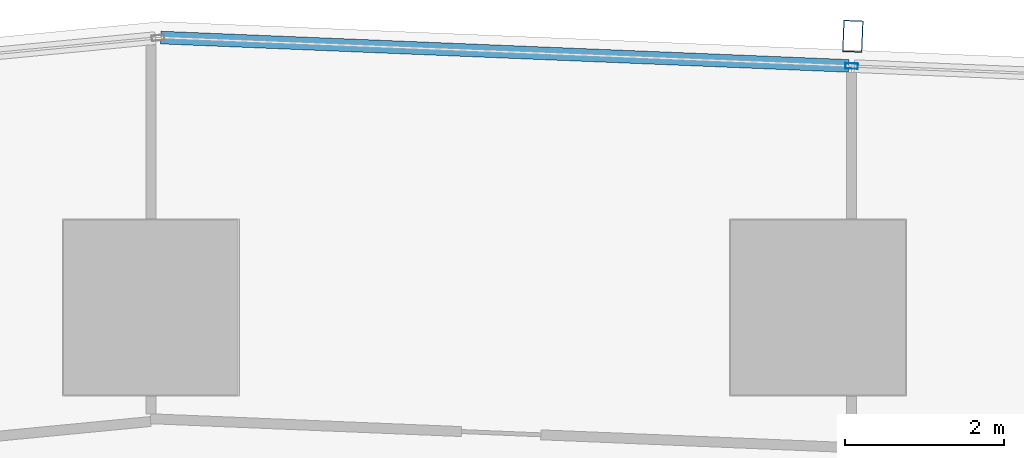
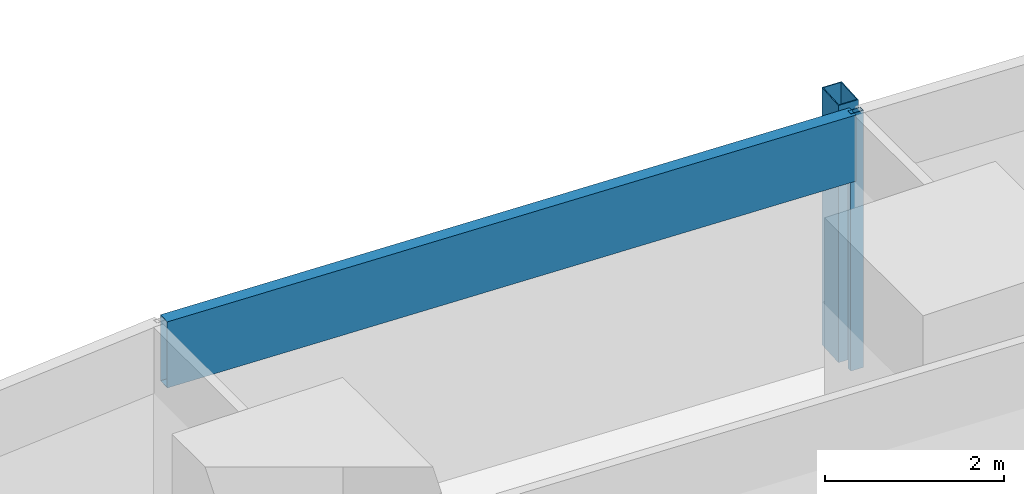
# One storey, part 16 of 42: 3 members, 1 element without a shape of its own.
"""IFC4 building model written with IfcOpenShell, lengths in metres."""

from ifc_helpers import new_model, si_unit, direction, frame, origin, origin_2d, place, context, subcontext, project, spatial, hollow_rectangle, extrude, material, material_profile, profile_set, type_object, element, aggregate, save


model = new_model("IFC4")

# Units and contexts
model_context = context("Model", 3, precision=1e-05, world=origin(), true_north=direction((0.0, 1.0)))
body_context = subcontext(model_context, "Body", "Model", "MODEL_VIEW")
ifc_project = project(units=[si_unit("LENGTHUNIT", "METRE"), si_unit("AREAUNIT", "SQUARE_METRE"), si_unit("VOLUMEUNIT", "CUBIC_METRE"), si_unit("PLANEANGLEUNIT", "RADIAN"), si_unit("MASSUNIT", "GRAM", prefix="KILO")], contexts=[model_context])

# Site, building, storey
site_placement = place(None, origin())
site = spatial("IfcSite", under=ifc_project, at=site_placement, CompositionType="ELEMENT")
building_placement = place(site_placement, origin())
building = spatial("IfcBuilding", under=site, at=building_placement, Name="Rekha Terrace Tower", CompositionType="ELEMENT")
storey_placement = place(building_placement, frame((0.0, 0.0, 55.39990234375)))
storey = spatial("IfcBuildingStorey", under=building, at=storey_placement, Name="L13", CompositionType="ELEMENT", Elevation=55.39990234375)

# Curtain wall, members
ifc_material_1 = material(Name="Aluminium framing", Category="aluminium")
curtain_wall_type = type_object("IfcCurtainWallType", Name="CW3 north unitised glazing", PredefinedType="USERDEFINED", material=ifc_material_1)
curtain_wall_placement = place(storey_placement, origin())
curtain_wall = element("IfcCurtainWall", 1, at=curtain_wall_placement, inside=storey, type_object=curtain_wall_type, Name="CW3 unitised curtain wall", ObjectType="UNITISED CURTAIN WALL", PredefinedType="USERDEFINED")
ifc_material_2 = material(Name="Steel S355 with fluorocarbon finish", Category="steel")
ifc_material_profile_1 = material_profile(ifc_material_2, hollow_rectangle(XDim=0.25, YDim=0.39990234375, WallThickness=0.012451171875, at=origin_2d()), Name="RHS400x250x12.5")
ifc_profile_set_1 = profile_set([ifc_material_profile_1], Name="Steel S355 with fluorocarbon finish")
member_type_1 = type_object("IfcMemberType", Name="BL1 facade blade RHS 400 x 250", PredefinedType="USERDEFINED", material=ifc_profile_set_1)
member_1_placement = place(storey_placement, frame((34.037353515625, 62.2158203125, 0.0), z_axis=(0.0, 0.0, 1.0), x_axis=(-0.99915196507, 0.041174636562, 0.0)))
member_1 = element("IfcMember", 2, at=member_1_placement, type_object=member_type_1, Name="Facade blade", ObjectType="FACADE BLADE", PredefinedType="USERDEFINED", context=body_context, shape_type="SweptSolid", body=[
    extrude(hollow_rectangle(XDim=0.25, YDim=0.39990234375, WallThickness=0.012451171875, at=origin_2d()), origin(), (0.0, 0.0, 1.0), 3.5),
])
ifc_material_3 = material(Name="Aluminium mullion section", Category="aluminium")
ifc_material_profile_2 = material_profile(ifc_material_3, hollow_rectangle(XDim=0.070068359375, YDim=0.159912109375, WallThickness=0.00390625, at=origin_2d()), Name="AL RHS 70x160")
ifc_profile_set_2 = profile_set([ifc_material_profile_2], Name="Aluminium mullion section")
member_type_2 = type_object("IfcMemberType", Name="CW3 mullion RHS 70 x 160", PredefinedType="MULLION", material=ifc_profile_set_2)
member_2_placement = place(storey_placement, frame((34.02197265625, 61.84130859375, 0.0), z_axis=(0.0, 0.0, 1.0), x_axis=(-0.041173846041, -0.999151997647, 0.0)))
member_2 = element("IfcMember", 3, at=member_2_placement, type_object=member_type_2, Name="CW3 mullion 5", PredefinedType="MULLION", context=body_context, shape_type="SweptSolid", body=[
    extrude(hollow_rectangle(XDim=0.070068359375, YDim=0.159912109375, WallThickness=0.00390625, at=origin_2d()), origin(), (0.0, 0.0, 1.0), 3.5),
])
ifc_material_4 = material(Name="Insulated aluminium spandrel box", Category="aluminium")
ifc_material_profile_3 = material_profile(ifc_material_4, hollow_rectangle(XDim=0.159912109375, YDim=0.89990234375, WallThickness=0.0029296875, at=origin_2d()), Name="AL SPANDREL BOX 160x900")
ifc_profile_set_3 = profile_set([ifc_material_profile_3], Name="Insulated aluminium spandrel box")
member_type_3 = type_object("IfcMemberType", Name="CW3 spandrel transom 160 x 900", PredefinedType="USERDEFINED", material=ifc_profile_set_3)
member_3_placement = place(storey_placement, frame((33.987060546875, 61.8427734375, 3.050048828125), z_axis=(-0.999152004012, 0.04117369158, 0.0), x_axis=(-0.04117369158, -0.999152004012, 0.0)))
member_3 = element("IfcMember", 4, at=member_3_placement, type_object=member_type_3, Name="CW3 spandrel transom 5", ObjectType="TRANSOM", PredefinedType="USERDEFINED", context=body_context, shape_type="SweptSolid", body=[
    extrude(hollow_rectangle(XDim=0.159912109375, YDim=0.89990234375, WallThickness=0.0029296875, at=origin_2d()), origin(), (0.0, 0.0, 1.0), 8.6689453125),
])
aggregate(curtain_wall, [member_2, member_3, member_1])

save(model, "model.ifc")
